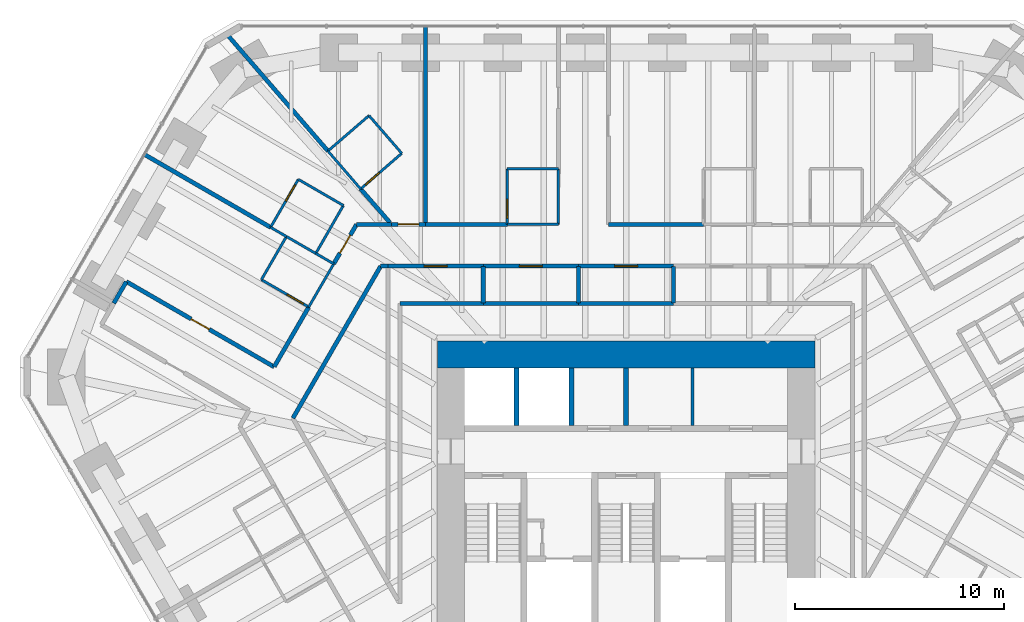
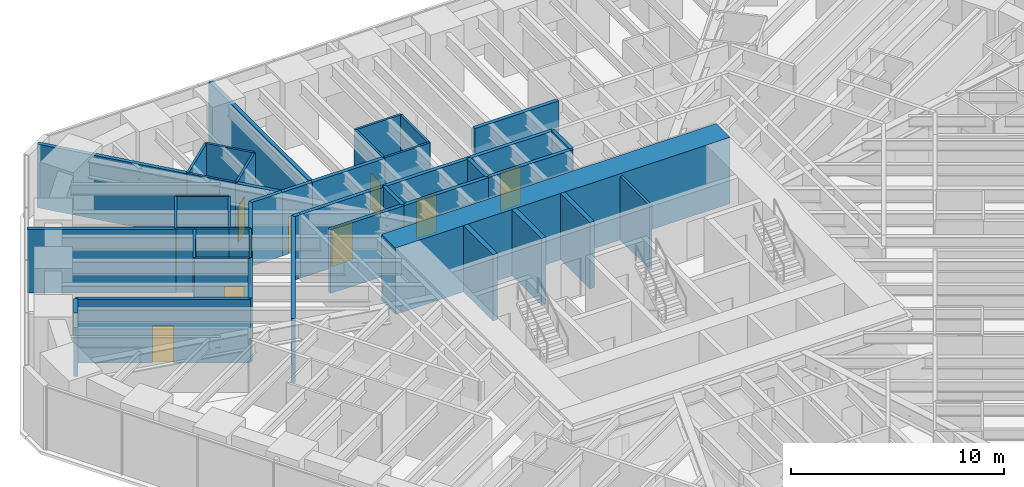
# One storey, part 14 of 17: 45 walls, 10 doors, 10 openings.
"""IFC4 building model written with IfcOpenShell, lengths in metres."""

from ifc_helpers import new_model, si_unit, direction, frame, frame_2d, origin, place, context, subcontext, project, spatial, rectangle, extrude, material, layer, layer_set, type_object, element, fill, save


model = new_model("IFC4")

# Units and contexts
model_context = context("Model", 3, precision=1e-05, world=origin(), true_north=direction((0.0, 1.0)))
body_context = subcontext(model_context, "Body", "Model", "MODEL_VIEW")
ifc_project = project(units=[si_unit("LENGTHUNIT", "METRE"), si_unit("AREAUNIT", "SQUARE_METRE"), si_unit("VOLUMEUNIT", "CUBIC_METRE"), si_unit("PLANEANGLEUNIT", "RADIAN"), si_unit("MASSUNIT", "GRAM", prefix="KILO")], contexts=[model_context])

# Site, building, storey
site_placement = place(None, origin())
site = spatial("IfcSite", under=ifc_project, at=site_placement, CompositionType="ELEMENT")
building_placement = place(site_placement, origin())
building = spatial("IfcBuilding", under=site, at=building_placement, Name="Sandreach Pilgrim Tower", CompositionType="ELEMENT")
storey_placement = place(building_placement, frame((0.0, 0.0, 119.60009765625)))
storey = spatial("IfcBuildingStorey", under=building, at=storey_placement, Name="L29", CompositionType="ELEMENT", Elevation=119.60009765625)

# Wall
ifc_material_1 = material(Name="Gypsum board on steel studs", Category="steel")
ifc_layer_1 = layer(ifc_material_1, 0.14990234375)
ifc_layer_set_1 = layer_set([ifc_layer_1], Name="Back of house wall 150")
wall_type_1 = type_object("IfcWallType", Name="Back of house wall 150", PredefinedType="PARTITIONING", material=ifc_layer_set_1)
wall_1_placement = place(storey_placement, frame((3.175048828125, 3.35009765625, 0.0), z_axis=(0.0, 0.0, 1.0), x_axis=(0.0, 1.0, 0.0)))
element("IfcWall", 1, at=wall_1_placement, inside=storey, type_object=wall_type_1, Name="Core room partition L29 1", PredefinedType="PARTITIONING", context=body_context, shape_type="SweptSolid", body=[
    extrude(rectangle(XDim=2.75, YDim=0.14990234375, at=frame_2d((1.375, 0.0))), origin(), (0.0, 0.0, 1.0), 3.639892578125),
])

# Wall, opening, door
ifc_material_2 = material(Name="Moisture-resistant gypsum board on steel studs", Category="steel")
ifc_layer_2 = layer(ifc_material_2, 0.1201171875)
ifc_layer_set_2 = layer_set([ifc_layer_2], Name="Bathroom partition 120")
wall_type_2 = type_object("IfcWallType", Name="Bathroom partition 120", PredefinedType="PARTITIONING", material=ifc_layer_set_2)
wall_2_placement = place(storey_placement, frame((-17.489990234375, 10.340087890625, 0.0), z_axis=(0.0, 0.0, 1.0), x_axis=(0.866114241029, -0.499846097802, 0.0)))
wall_2 = element("IfcWall", 2, at=wall_2_placement, inside=storey, type_object=wall_type_2, Name="Bathroom partition L29-013", PredefinedType="PARTITIONING", context=body_context, shape_type="SweptSolid", body=[
    extrude(rectangle(XDim=2.620849609375, YDim=0.1201171875, at=frame_2d((1.310546875, 0.0))), origin(), (0.0, 0.0, 1.0), 3.639892578125),
])
opening_1_placement = place(wall_2_placement, frame((1.4208984375, 0.0, 0.0)))
opening_1 = element("IfcOpeningElement", 3, at=opening_1_placement, cuts=wall_2, Name="Opening D09-18B", PredefinedType="OPENING", context=body_context, shape_type="SweptSolid", body=[
    extrude(rectangle(XDim=0.89990234375, YDim=2.030029296875, at=frame_2d((0.449951171875, 1.01513671875))), frame((0.0, 0.06005859375, 0.0), z_axis=(0.0, -1.0, 0.0), x_axis=(1.0, 0.0, 0.0)), (0.0, 0.0, 1.0), 0.1201171875),
])
ifc_material_3 = material(Name="Timber door, steel frame", Category="steel")
door_type_1 = type_object("IfcDoorType", Name="Bathroom door", OperationType="SINGLE_SWING_LEFT", PredefinedType="DOOR", material=ifc_material_3)
door_1_placement = place(opening_1_placement, origin())
door_1 = element("IfcDoor", 4, at=door_1_placement, inside=storey, type_object=door_type_1, Name="Door 2918B", OperationType="SINGLE_SWING_RIGHT", OverallHeight=2.030029296875, OverallWidth=0.89990234375, PredefinedType="DOOR", context=body_context, shape_type="SweptSolid", body=[
    extrude(rectangle(XDim=0.89990234375, YDim=2.030029296875, at=frame_2d((0.449951171875, 1.01513671875))), frame((0.0, 0.02490234375, 0.0), z_axis=(0.0, -1.0, 0.0), x_axis=(1.0, 0.0, 0.0)), (0.0, 0.0, 1.0), 0.050048828125),
])
fill(opening_1, door_1)

# Walls
wall_3_placement = place(storey_placement, frame((-17.050537109375, 12.849365234375, 0.0), z_axis=(0.0, 0.0, 1.0), x_axis=(0.865838315616, -0.500323906295, 0.0)))
element("IfcWall", 5, at=wall_3_placement, inside=storey, type_object=wall_type_2, Name="Bathroom partition L29-015", PredefinedType="PARTITIONING", context=body_context, shape_type="SweptSolid", body=[
    extrude(rectangle(XDim=0.87841796875, YDim=0.1201171875, at=frame_2d((0.439208984375, 0.0))), origin(), (0.0, 0.0, 1.0), 3.639892578125),
])
wall_4_placement = place(storey_placement, frame((-16.2900390625, 12.409912109375, 0.0), z_axis=(0.0, 0.0, 1.0), x_axis=(-0.501547039172, -0.865130376012, 0.0)))
element("IfcWall", 6, at=wall_4_placement, inside=storey, type_object=wall_type_2, Name="Bathroom partition L29-020", PredefinedType="PARTITIONING", context=body_context, shape_type="SweptSolid", body=[
    extrude(rectangle(XDim=2.392578125, YDim=0.1201171875, at=frame_2d((1.1962890625, 0.0))), origin(), (0.0, 0.0, 1.0), 3.639892578125),
])
wall_5_placement = place(storey_placement, frame((-16.2900390625, 12.409912109375, 0.0), z_axis=(0.0, 0.0, 1.0), x_axis=(0.866138091645, -0.499804768086, 0.0)))
element("IfcWall", 7, at=wall_5_placement, inside=storey, type_object=wall_type_2, Name="Bathroom partition L29-021", PredefinedType="PARTITIONING", context=body_context, shape_type="SweptSolid", body=[
    extrude(rectangle(XDim=1.626220703125, YDim=0.1201171875, at=frame_2d((0.81298828125, 0.0))), origin(), (0.0, 0.0, 1.0), 3.639892578125),
])

# Wall, opening, door
wall_6_placement = place(storey_placement, frame((-15.719970703125, 15.14990234375, 0.0), z_axis=(0.0, 0.0, 1.0), x_axis=(-0.500605174168, -0.865675724273, 0.0)))
wall_6 = element("IfcWall", 8, at=wall_6_placement, inside=storey, type_object=wall_type_2, Name="Bathroom partition L29-023", PredefinedType="PARTITIONING", context=body_context, shape_type="SweptSolid", body=[
    extrude(rectangle(XDim=2.656982421875, YDim=0.1201171875, at=frame_2d((1.32861328125, 0.0))), origin(), (0.0, 0.0, 1.0), 3.639892578125),
])
opening_2_placement = place(wall_6_placement, frame((0.300048828125, 0.0, 0.0)))
opening_2 = element("IfcOpeningElement", 9, at=opening_2_placement, cuts=wall_6, Name="Opening D09-19B", PredefinedType="OPENING", context=body_context, shape_type="SweptSolid", body=[
    extrude(rectangle(XDim=0.89990234375, YDim=2.030029296875, at=frame_2d((0.449951171875, 1.01513671875))), frame((0.0, 0.06005859375, 0.0), z_axis=(0.0, -1.0, 0.0), x_axis=(1.0, 0.0, 0.0)), (0.0, 0.0, 1.0), 0.1201171875),
])
door_2_placement = place(opening_2_placement, origin())
door_2 = element("IfcDoor", 10, at=door_2_placement, inside=storey, type_object=door_type_1, Name="Door 2919B", OperationType="SINGLE_SWING_LEFT", OverallHeight=2.030029296875, OverallWidth=0.89990234375, PredefinedType="DOOR", context=body_context, shape_type="SweptSolid", body=[
    extrude(rectangle(XDim=0.89990234375, YDim=2.030029296875, at=frame_2d((0.449951171875, 1.01513671875))), frame((0.0, 0.02490234375, 0.0), z_axis=(0.0, -1.0, 0.0), x_axis=(1.0, 0.0, 0.0)), (0.0, 0.0, 1.0), 0.050048828125),
])
fill(opening_2, door_2)

# Walls
wall_7_placement = place(storey_placement, frame((-15.219970703125, 9.030029296875, 0.0), z_axis=(0.0, 0.0, 1.0), x_axis=(0.501502765098, 0.865156041763, 0.0)))
element("IfcWall", 11, at=wall_7_placement, inside=storey, type_object=wall_type_2, Name="Bathroom partition L29-026", PredefinedType="PARTITIONING", context=body_context, shape_type="SweptSolid", body=[
    extrude(rectangle(XDim=2.392822265625, YDim=0.1201171875, at=frame_2d((1.1962890625, 0.0))), origin(), (0.0, 0.0, 1.0), 3.639892578125),
])
wall_8_placement = place(storey_placement, frame((-14.881591796875, 11.59716796875, 0.0), z_axis=(0.0, 0.0, 1.0), x_axis=(0.866181499781, -0.499729536286, 0.0)))
element("IfcWall", 12, at=wall_8_placement, inside=storey, type_object=wall_type_2, Name="Bathroom partition L29-027", PredefinedType="PARTITIONING", context=body_context, shape_type="SweptSolid", body=[
    extrude(rectangle(XDim=0.99462890625, YDim=0.1201171875, at=frame_2d((0.497314453125, 0.0))), origin(), (0.0, 0.0, 1.0), 3.639892578125),
])
wall_9_placement = place(storey_placement, frame((-14.8798828125, 11.60009765625, 0.0), z_axis=(0.0, 0.0, 1.0), x_axis=(0.497704656183, 0.867346571569, 0.0)))
element("IfcWall", 13, at=wall_9_placement, inside=storey, type_object=wall_type_2, Name="Bathroom partition L29-028", PredefinedType="PARTITIONING", context=body_context, shape_type="SweptSolid", body=[
    extrude(rectangle(XDim=2.65185546875, YDim=0.1201171875, at=frame_2d((1.325927734375, 0.0))), origin(), (0.0, 0.0, 1.0), 3.639892578125),
])
wall_10_placement = place(storey_placement, frame((-14.300048828125, 16.510009765625, 0.0), z_axis=(0.0, 0.0, 1.0), x_axis=(0.653188728136, -0.757195143563, 0.0)))
element("IfcWall", 14, at=wall_10_placement, inside=storey, type_object=wall_type_2, Name="Bathroom partition L29-030", PredefinedType="PARTITIONING", context=body_context, shape_type="SweptSolid", body=[
    extrude(rectangle(XDim=2.40380859375, YDim=0.1201171875, at=frame_2d((1.201904296875, 0.0))), origin(), (0.0, 0.0, 1.0), 3.639892578125),
])
wall_11_placement = place(storey_placement, frame((-13.56005859375, 13.89990234375, 0.0), z_axis=(0.0, 0.0, 1.0), x_axis=(-0.865508881864, 0.500893576935, 0.0)))
element("IfcWall", 15, at=wall_11_placement, inside=storey, type_object=wall_type_2, Name="Bathroom partition L29-033", PredefinedType="PARTITIONING", context=body_context, shape_type="SweptSolid", body=[
    extrude(rectangle(XDim=2.49560546875, YDim=0.1201171875, at=frame_2d((1.247802734375, 0.0))), origin(), (0.0, 0.0, 1.0), 3.639892578125),
])

# Wall, opening, door
wall_12_placement = place(storey_placement, frame((-12.72998046875, 14.68994140625, 0.0), z_axis=(0.0, 0.0, 1.0), x_axis=(0.755185511235, 0.655511131576, 0.0)))
wall_12 = element("IfcWall", 16, at=wall_12_placement, inside=storey, type_object=wall_type_2, Name="Bathroom partition L29-037", PredefinedType="PARTITIONING", context=body_context, shape_type="SweptSolid", body=[
    extrude(rectangle(XDim=2.608642578125, YDim=0.1201171875, at=frame_2d((1.30419921875, 0.0))), origin(), (0.0, 0.0, 1.0), 3.639892578125),
])
opening_3_placement = place(wall_12_placement, frame((0.300048828125, 0.0, 0.0)))
opening_3 = element("IfcOpeningElement", 17, at=opening_3_placement, cuts=wall_12, Name="Opening D09-01B", PredefinedType="OPENING", context=body_context, shape_type="SweptSolid", body=[
    extrude(rectangle(XDim=0.89990234375, YDim=2.030029296875, at=frame_2d((0.449951171875, 1.01513671875))), frame((0.0, 0.06005859375, 0.0), z_axis=(0.0, -1.0, 0.0), x_axis=(1.0, 0.0, 0.0)), (0.0, 0.0, 1.0), 0.1201171875),
])
door_3_placement = place(opening_3_placement, origin())
door_3 = element("IfcDoor", 18, at=door_3_placement, inside=storey, type_object=door_type_1, Name="Door 2901B", OperationType="SINGLE_SWING_LEFT", OverallHeight=2.030029296875, OverallWidth=0.89990234375, PredefinedType="DOOR", context=body_context, shape_type="SweptSolid", body=[
    extrude(rectangle(XDim=0.89990234375, YDim=2.030029296875, at=frame_2d((0.449951171875, 1.01513671875))), frame((0.0, 0.02490234375, 0.0), z_axis=(0.0, -1.0, 0.0), x_axis=(1.0, 0.0, 0.0)), (0.0, 0.0, 1.0), 0.050048828125),
])
fill(opening_3, door_3)

# Walls
wall_13_placement = place(storey_placement, frame((-12.330078125, 18.2099609375, 0.0), z_axis=(0.0, 0.0, 1.0), x_axis=(-0.757086659925, -0.653314464377, 0.0)))
element("IfcWall", 19, at=wall_13_placement, inside=storey, type_object=wall_type_2, Name="Bathroom partition L29-038", PredefinedType="PARTITIONING", context=body_context, shape_type="SweptSolid", body=[
    extrude(rectangle(XDim=2.60205078125, YDim=0.1201171875, at=frame_2d((1.301025390625, 0.0))), origin(), (0.0, 0.0, 1.0), 3.639892578125),
])
wall_14_placement = place(storey_placement, frame((-10.760009765625, 16.39990234375, 0.0), z_axis=(0.0, 0.0, 1.0), x_axis=(-0.655252439976, 0.755409981338, 0.0)))
element("IfcWall", 20, at=wall_14_placement, inside=storey, type_object=wall_type_2, Name="Bathroom partition L29-049", PredefinedType="PARTITIONING", context=body_context, shape_type="SweptSolid", body=[
    extrude(rectangle(XDim=2.396240234375, YDim=0.1201171875, at=frame_2d((1.1982421875, 0.0))), origin(), (0.0, 0.0, 1.0), 3.639892578125),
])

# Wall, opening, door
wall_15_placement = place(storey_placement, frame((-5.7099609375, 15.659912109375, 0.0), z_axis=(0.0, 0.0, 1.0), x_axis=(0.003749059241, -0.999992972253, 0.0)))
wall_15 = element("IfcWall", 21, at=wall_15_placement, inside=storey, type_object=wall_type_2, Name="Bathroom partition L29-066", PredefinedType="PARTITIONING", context=body_context, shape_type="SweptSolid", body=[
    extrude(rectangle(XDim=2.669921875, YDim=0.1201171875, at=frame_2d((1.3349609375, 0.0))), origin(), (0.0, 0.0, 1.0), 3.639892578125),
])
opening_4_placement = place(wall_15_placement, frame((1.469970703125, 0.0, 0.0)))
opening_4 = element("IfcOpeningElement", 22, at=opening_4_placement, cuts=wall_15, Name="Opening D09-02B", PredefinedType="OPENING", context=body_context, shape_type="SweptSolid", body=[
    extrude(rectangle(XDim=0.89990234375, YDim=2.030029296875, at=frame_2d((0.449951171875, 1.01513671875))), frame((0.0, 0.06005859375, 0.0), z_axis=(0.0, -1.0, 0.0), x_axis=(1.0, 0.0, 0.0)), (0.0, 0.0, 1.0), 0.1201171875),
])
door_4_placement = place(opening_4_placement, origin())
door_4 = element("IfcDoor", 23, at=door_4_placement, inside=storey, type_object=door_type_1, Name="Door 2902B", OperationType="SINGLE_SWING_RIGHT", OverallHeight=2.030029296875, OverallWidth=0.89990234375, PredefinedType="DOOR", context=body_context, shape_type="SweptSolid", body=[
    extrude(rectangle(XDim=0.89990234375, YDim=2.030029296875, at=frame_2d((0.449951171875, 1.01513671875))), frame((0.0, 0.02490234375, 0.0), z_axis=(0.0, -1.0, 0.0), x_axis=(1.0, 0.0, 0.0)), (0.0, 0.0, 1.0), 0.050048828125),
])
fill(opening_4, door_4)

# Walls
wall_16_placement = place(storey_placement, frame((-3.25, 12.989990234375, 0.0), z_axis=(0.0, 0.0, 1.0), x_axis=(-1.0, 0.0, 0.0)))
element("IfcWall", 24, at=wall_16_placement, inside=storey, type_object=wall_type_2, Name="Bathroom partition L29-079", PredefinedType="PARTITIONING", context=body_context, shape_type="SweptSolid", body=[
    extrude(rectangle(XDim=2.449951171875, YDim=0.1201171875, at=frame_2d((1.22509765625, 0.0))), origin(), (0.0, 0.0, 1.0), 3.639892578125),
])
wall_17_placement = place(storey_placement, frame((-3.25, 15.659912109375, 0.0), z_axis=(0.0, 0.0, 1.0), x_axis=(-1.0, 0.0, 0.0)))
element("IfcWall", 25, at=wall_17_placement, inside=storey, type_object=wall_type_2, Name="Bathroom partition L29-080", PredefinedType="PARTITIONING", context=body_context, shape_type="SweptSolid", body=[
    extrude(rectangle(XDim=2.4599609375, YDim=0.1201171875, at=frame_2d((1.22998046875, 0.0))), origin(), (0.0, 0.0, 1.0), 3.639892578125),
])
wall_18_placement = place(storey_placement, frame((-3.25, 15.659912109375, 0.0), z_axis=(0.0, 0.0, 1.0), x_axis=(0.0, -1.0, 0.0)))
element("IfcWall", 26, at=wall_18_placement, inside=storey, type_object=wall_type_2, Name="Bathroom partition L29-081", PredefinedType="PARTITIONING", context=body_context, shape_type="SweptSolid", body=[
    extrude(rectangle(XDim=2.669921875, YDim=0.1201171875, at=frame_2d((1.3349609375, 0.0))), origin(), (0.0, 0.0, 1.0), 3.639892578125),
])
ifc_material_4 = material(Name="Concrete 10000 psi", Category="concrete")
ifc_layer_3 = layer(ifc_material_4, 1.300048828125)
ifc_layer_set_3 = layer_set([ifc_layer_3], Name="Core wall 1300")
wall_type_3 = type_object("IfcWallType", Name="Core wall 1300", PredefinedType="SHEAR", material=ifc_layer_set_3)
wall_19_placement = place(storey_placement, frame((-9.050048828125, 6.75, 0.0), z_axis=(0.0, 0.0, 1.0), x_axis=(1.0, 0.0, 0.0)))
element("IfcWall", 27, at=wall_19_placement, inside=storey, type_object=wall_type_3, Name="Core wall N L29", PredefinedType="SHEAR", context=body_context, shape_type="SweptSolid", body=[
    extrude(rectangle(XDim=18.10009765625, YDim=1.300048828125, at=frame_2d((9.050048828125, 0.0))), origin(), (0.0, 0.0, 1.0), 3.7998046875),
])
ifc_material_5 = material(Name="Gypsum board on steel studs, two layers each side", Category="steel")
ifc_layer_4 = layer(ifc_material_5, 0.199951171875)
ifc_layer_set_4 = layer_set([ifc_layer_4], Name="Corridor wall 200")
wall_type_4 = type_object("IfcWallType", Name="Corridor wall 200", PredefinedType="PARTITIONING", material=ifc_layer_set_4)
wall_20_placement = place(storey_placement, frame((-24.570068359375, 9.2099609375, 0.0), z_axis=(0.0, 0.0, 1.0), x_axis=(0.499734288277, 0.866178758179, 0.0)))
element("IfcWall", 28, at=wall_20_placement, inside=storey, type_object=wall_type_4, Name="Corridor wall L29-004", PredefinedType="PARTITIONING", context=body_context, shape_type="SweptSolid", body=[
    extrude(rectangle(XDim=1.190673828125, YDim=0.199951171875, at=frame_2d((0.59521484375, 0.0))), origin(), (0.0, 0.0, 1.0), 3.639892578125),
])

# Wall, opening, door
wall_21_placement = place(storey_placement, frame((-16.8798828125, 6.159912109375, 0.0), z_axis=(0.0, 0.0, 1.0), x_axis=(-0.866203958324, 0.499690606859, 0.0)))
wall_21 = element("IfcWall", 29, at=wall_21_placement, inside=storey, type_object=wall_type_4, Name="Corridor wall L29-017", PredefinedType="PARTITIONING", context=body_context, shape_type="SweptSolid", body=[
    extrude(rectangle(XDim=8.185302734375, YDim=0.199951171875, at=frame_2d((4.0927734375, 0.0))), origin(), (0.0, 0.0, 1.0), 3.639892578125),
])
opening_5_placement = place(wall_21_placement, frame((3.592529296875, 0.0, 0.0)))
opening_5 = element("IfcOpeningElement", 30, at=opening_5_placement, cuts=wall_21, Name="Opening D10-18", PredefinedType="OPENING", context=body_context, shape_type="SweptSolid", body=[
    extrude(rectangle(XDim=1.0, YDim=2.1298828125, at=frame_2d((0.5, 1.06494140625))), frame((0.0, 0.10009765625, 0.0), z_axis=(0.0, -1.0, 0.0), x_axis=(1.0, 0.0, 0.0)), (0.0, 0.0, 1.0), 0.199951171875),
])
ifc_material_6 = material(Name="Steel door and frame", Category="steel")
door_type_2 = type_object("IfcDoorType", Name="Guest room entry door", OperationType="SINGLE_SWING_LEFT", PredefinedType="DOOR", material=ifc_material_6)
door_5_placement = place(opening_5_placement, origin())
door_5 = element("IfcDoor", 31, at=door_5_placement, inside=storey, type_object=door_type_2, Name="Door 2918", OperationType="SINGLE_SWING_LEFT", OverallHeight=2.1298828125, OverallWidth=1.0, PredefinedType="DOOR", context=body_context, shape_type="SweptSolid", body=[
    extrude(rectangle(XDim=1.0, YDim=2.1298828125, at=frame_2d((0.5, 1.06494140625))), frame((0.0, 0.02490234375, 0.0), z_axis=(0.0, -1.0, 0.0), x_axis=(1.0, 0.0, 0.0)), (0.0, 0.0, 1.0), 0.050048828125),
])
fill(opening_5, door_5)

# Walls
wall_22_placement = place(storey_placement, frame((-16.875, 6.168701171875, 0.0), z_axis=(0.0, 0.0, 1.0), x_axis=(0.500689767595, 0.865626799854, 0.0)))
element("IfcWall", 32, at=wall_22_placement, inside=storey, type_object=wall_type_4, Name="Corridor wall L29-018", PredefinedType="PARTITIONING", context=body_context, shape_type="SweptSolid", body=[
    extrude(rectangle(XDim=3.305419921875, YDim=0.199951171875, at=frame_2d((1.65283203125, 0.0))), origin(), (0.0, 0.0, 1.0), 3.639892578125),
])
wall_23_placement = place(storey_placement, frame((-15.97998046875, 3.699951171875, 0.0), z_axis=(0.0, 0.0, 1.0), x_axis=(0.500093981358, 0.865971136822, 0.0)))
element("IfcWall", 33, at=wall_23_placement, inside=storey, type_object=wall_type_4, Name="Corridor wall L29-022", PredefinedType="PARTITIONING", context=body_context, shape_type="SweptSolid", body=[
    extrude(rectangle(XDim=8.41845703125, YDim=0.199951171875, at=frame_2d((4.209228515625, 0.0))), origin(), (0.0, 0.0, 1.0), 3.639892578125),
])

# Wall, opening, door
wall_24_placement = place(storey_placement, frame((-14.02001953125, 11.10009765625, 0.0), z_axis=(0.0, 0.0, 1.0), x_axis=(0.499641723021, 0.866232156305, 0.0)))
wall_24 = element("IfcWall", 34, at=wall_24_placement, inside=storey, type_object=wall_type_4, Name="Corridor wall L29-032", PredefinedType="PARTITIONING", context=body_context, shape_type="SweptSolid", body=[
    extrude(rectangle(XDim=2.181640625, YDim=0.199951171875, at=frame_2d((1.0908203125, 0.0))), origin(), (0.0, 0.0, 1.0), 3.639892578125),
])
opening_6_placement = place(wall_24_placement, frame((0.5908203125, 0.0, 0.0)))
opening_6 = element("IfcOpeningElement", 35, at=opening_6_placement, cuts=wall_24, Name="Opening D10-19", PredefinedType="OPENING", context=body_context, shape_type="SweptSolid", body=[
    extrude(rectangle(XDim=1.0, YDim=2.1298828125, at=frame_2d((0.5, 1.06494140625))), frame((0.0, 0.10009765625, 0.0), z_axis=(0.0, -1.0, 0.0), x_axis=(1.0, 0.0, 0.0)), (0.0, 0.0, 1.0), 0.199951171875),
])
door_6_placement = place(opening_6_placement, origin())
door_6 = element("IfcDoor", 36, at=door_6_placement, inside=storey, type_object=door_type_2, Name="Door 2919", OperationType="SINGLE_SWING_LEFT", OverallHeight=2.1298828125, OverallWidth=1.0, PredefinedType="DOOR", context=body_context, shape_type="SweptSolid", body=[
    extrude(rectangle(XDim=1.0, YDim=2.1298828125, at=frame_2d((0.5, 1.06494140625))), frame((0.0, 0.02490234375, 0.0), z_axis=(0.0, -1.0, 0.0), x_axis=(1.0, 0.0, 0.0)), (0.0, 0.0, 1.0), 0.050048828125),
])
fill(opening_6, door_6)

# Wall
wall_25_placement = place(storey_placement, frame((-11.77001953125, 10.989990234375, 0.0), z_axis=(0.0, 0.0, 1.0), x_axis=(1.0, 0.0, 0.0)))
element("IfcWall", 37, at=wall_25_placement, inside=storey, type_object=wall_type_4, Name="Corridor wall L29-040", PredefinedType="PARTITIONING", context=body_context, shape_type="SweptSolid", body=[
    extrude(rectangle(XDim=0.35009765625, YDim=0.199951171875, at=frame_2d((0.175048828125, 0.0))), origin(), (0.0, 0.0, 1.0), 3.639892578125),
])

# Wall, opening, door
wall_26_placement = place(storey_placement, frame((-11.419921875, 10.989990234375, 0.0), z_axis=(0.0, 0.0, 1.0), x_axis=(1.0, 0.0, 0.0)))
wall_26 = element("IfcWall", 38, at=wall_26_placement, inside=storey, type_object=wall_type_4, Name="Corridor wall L29-044", PredefinedType="PARTITIONING", context=body_context, shape_type="SweptSolid", body=[
    extrude(rectangle(XDim=4.56982421875, YDim=0.199951171875, at=frame_2d((2.284912109375, 0.0))), origin(), (0.0, 0.0, 1.0), 3.639892578125),
])
opening_7_placement = place(wall_26_placement, frame((1.735107421875, 0.0, 0.0)))
opening_7 = element("IfcOpeningElement", 39, at=opening_7_placement, cuts=wall_26, Name="Opening D11H-M02", PredefinedType="OPENING", context=body_context, shape_type="SweptSolid", body=[
    extrude(rectangle(XDim=1.10009765625, YDim=2.199951171875, at=frame_2d((0.550048828125, 1.10009765625))), frame((0.0, 0.10009765625, 0.0), z_axis=(0.0, -1.0, 0.0), x_axis=(1.0, 0.0, 0.0)), (0.0, 0.0, 1.0), 0.199951171875),
])
ifc_material_7 = material(Name="Steel door and frame", Category="steel")
door_type_3 = type_object("IfcDoorType", Name="Back of house door", OperationType="SINGLE_SWING_LEFT", PredefinedType="DOOR", material=ifc_material_7)
door_7_placement = place(opening_7_placement, origin())
door_7 = element("IfcDoor", 40, at=door_7_placement, inside=storey, type_object=door_type_3, Name="Door 29M02", OperationType="SINGLE_SWING_LEFT", OverallHeight=2.199951171875, OverallWidth=1.10009765625, PredefinedType="DOOR", context=body_context, shape_type="SweptSolid", body=[
    extrude(rectangle(XDim=1.10009765625, YDim=2.199951171875, at=frame_2d((0.550048828125, 1.10009765625))), frame((0.0, 0.02490234375, 0.0), z_axis=(0.0, -1.0, 0.0), x_axis=(1.0, 0.0, 0.0)), (0.0, 0.0, 1.0), 0.050048828125),
])
fill(opening_7, door_7)

# Wall
wall_27_placement = place(storey_placement, frame((-11.25, 12.989990234375, 0.0), z_axis=(0.0, 0.0, 1.0), x_axis=(-1.0, 0.0, 0.0)))
element("IfcWall", 41, at=wall_27_placement, inside=storey, type_object=wall_type_4, Name="Corridor wall L29-045", PredefinedType="PARTITIONING", context=body_context, shape_type="SweptSolid", body=[
    extrude(rectangle(XDim=1.679931640625, YDim=0.199951171875, at=frame_2d((0.83984375, 0.0))), origin(), (0.0, 0.0, 1.0), 3.639892578125),
])

# Wall, opening, door
wall_28_placement = place(storey_placement, frame((-9.6201171875, 12.989990234375, 0.0), z_axis=(0.0, 0.0, 1.0), x_axis=(-1.0, 0.0, 0.0)))
wall_28 = element("IfcWall", 42, at=wall_28_placement, inside=storey, type_object=wall_type_4, Name="Corridor wall L29-051", PredefinedType="PARTITIONING", context=body_context, shape_type="SweptSolid", body=[
    extrude(rectangle(XDim=1.6298828125, YDim=0.199951171875, at=frame_2d((0.81494140625, 0.0))), origin(), (0.0, 0.0, 1.0), 3.639892578125),
])
opening_8_placement = place(wall_28_placement, frame((0.31494140625, 0.0, 0.0)))
opening_8 = element("IfcOpeningElement", 43, at=opening_8_placement, cuts=wall_28, Name="Opening D10-01", PredefinedType="OPENING", context=body_context, shape_type="SweptSolid", body=[
    extrude(rectangle(XDim=1.0, YDim=2.1298828125, at=frame_2d((0.5, 1.06494140625))), frame((0.0, 0.10009765625, 0.0), z_axis=(0.0, -1.0, 0.0), x_axis=(1.0, 0.0, 0.0)), (0.0, 0.0, 1.0), 0.199951171875),
])
door_8_placement = place(opening_8_placement, origin())
door_8 = element("IfcDoor", 44, at=door_8_placement, inside=storey, type_object=door_type_2, Name="Door 2901", OperationType="SINGLE_SWING_LEFT", OverallHeight=2.1298828125, OverallWidth=1.0, PredefinedType="DOOR", context=body_context, shape_type="SweptSolid", body=[
    extrude(rectangle(XDim=1.0, YDim=2.1298828125, at=frame_2d((0.5, 1.06494140625))), frame((0.0, 0.02490234375, 0.0), z_axis=(0.0, -1.0, 0.0), x_axis=(1.0, 0.0, 0.0)), (0.0, 0.0, 1.0), 0.050048828125),
])
fill(opening_8, door_8)

# Wall
wall_29_placement = place(storey_placement, frame((-6.85009765625, 9.199951171875, 0.0), z_axis=(0.0, 0.0, 1.0), x_axis=(-1.0, 0.0, 0.0)))
element("IfcWall", 45, at=wall_29_placement, inside=storey, type_object=wall_type_4, Name="Corridor wall L29-058", PredefinedType="PARTITIONING", context=body_context, shape_type="SweptSolid", body=[
    extrude(rectangle(XDim=3.989990234375, YDim=0.199951171875, at=frame_2d((1.9951171875, 0.0))), origin(), (0.0, 0.0, 1.0), 3.639892578125),
])

# Wall, opening, door
wall_30_placement = place(storey_placement, frame((-6.85009765625, 10.989990234375, 0.0), z_axis=(0.0, 0.0, 1.0), x_axis=(1.0, 0.0, 0.0)))
wall_30 = element("IfcWall", 46, at=wall_30_placement, inside=storey, type_object=wall_type_4, Name="Corridor wall L29-060", PredefinedType="PARTITIONING", context=body_context, shape_type="SweptSolid", body=[
    extrude(rectangle(XDim=4.570068359375, YDim=0.199951171875, at=frame_2d((2.28515625, 0.0))), origin(), (0.0, 0.0, 1.0), 3.639892578125),
])
opening_9_placement = place(wall_30_placement, frame((1.735107421875, 0.0, 0.0)))
opening_9 = element("IfcOpeningElement", 47, at=opening_9_placement, cuts=wall_30, Name="Opening D11H-M03", PredefinedType="OPENING", context=body_context, shape_type="SweptSolid", body=[
    extrude(rectangle(XDim=1.10009765625, YDim=2.199951171875, at=frame_2d((0.550048828125, 1.10009765625))), frame((0.0, 0.10009765625, 0.0), z_axis=(0.0, -1.0, 0.0), x_axis=(1.0, 0.0, 0.0)), (0.0, 0.0, 1.0), 0.199951171875),
])
door_9_placement = place(opening_9_placement, origin())
door_9 = element("IfcDoor", 48, at=door_9_placement, inside=storey, type_object=door_type_3, Name="Door 29M03", OperationType="SINGLE_SWING_LEFT", OverallHeight=2.199951171875, OverallWidth=1.10009765625, PredefinedType="DOOR", context=body_context, shape_type="SweptSolid", body=[
    extrude(rectangle(XDim=1.10009765625, YDim=2.199951171875, at=frame_2d((0.550048828125, 1.10009765625))), frame((0.0, 0.02490234375, 0.0), z_axis=(0.0, -1.0, 0.0), x_axis=(1.0, 0.0, 0.0)), (0.0, 0.0, 1.0), 0.050048828125),
])
fill(opening_9, door_9)

# Walls
wall_31_placement = place(storey_placement, frame((-5.699951171875, 12.989990234375, 0.0), z_axis=(0.0, 0.0, 1.0), x_axis=(-1.0, 0.0, 0.0)))
element("IfcWall", 49, at=wall_31_placement, inside=storey, type_object=wall_type_4, Name="Corridor wall L29-067", PredefinedType="PARTITIONING", context=body_context, shape_type="SweptSolid", body=[
    extrude(rectangle(XDim=3.920166015625, YDim=0.199951171875, at=frame_2d((1.9599609375, 0.0))), origin(), (0.0, 0.0, 1.0), 3.639892578125),
])
wall_32_placement = place(storey_placement, frame((-2.280029296875, 9.199951171875, 0.0), z_axis=(0.0, 0.0, 1.0), x_axis=(-1.0, 0.0, 0.0)))
element("IfcWall", 50, at=wall_32_placement, inside=storey, type_object=wall_type_4, Name="Corridor wall L29-083", PredefinedType="PARTITIONING", context=body_context, shape_type="SweptSolid", body=[
    extrude(rectangle(XDim=4.570068359375, YDim=0.199951171875, at=frame_2d((2.28515625, 0.0))), origin(), (0.0, 0.0, 1.0), 3.639892578125),
])

# Wall, opening, door
wall_33_placement = place(storey_placement, frame((-2.280029296875, 10.989990234375, 0.0), z_axis=(0.0, 0.0, 1.0), x_axis=(1.0, 0.0, 0.0)))
wall_33 = element("IfcWall", 51, at=wall_33_placement, inside=storey, type_object=wall_type_4, Name="Corridor wall L29-085", PredefinedType="PARTITIONING", context=body_context, shape_type="SweptSolid", body=[
    extrude(rectangle(XDim=4.56005859375, YDim=0.199951171875, at=frame_2d((2.280029296875, 0.0))), origin(), (0.0, 0.0, 1.0), 3.639892578125),
])
opening_10_placement = place(wall_33_placement, frame((1.72998046875, 0.0, 0.0)))
opening_10 = element("IfcOpeningElement", 52, at=opening_10_placement, cuts=wall_33, Name="Opening D11H-M04", PredefinedType="OPENING", context=body_context, shape_type="SweptSolid", body=[
    extrude(rectangle(XDim=1.10009765625, YDim=2.199951171875, at=frame_2d((0.550048828125, 1.10009765625))), frame((0.0, 0.10009765625, 0.0), z_axis=(0.0, -1.0, 0.0), x_axis=(1.0, 0.0, 0.0)), (0.0, 0.0, 1.0), 0.199951171875),
])
door_10_placement = place(opening_10_placement, origin())
door_10 = element("IfcDoor", 53, at=door_10_placement, inside=storey, type_object=door_type_3, Name="Door 29M04", OperationType="SINGLE_SWING_LEFT", OverallHeight=2.199951171875, OverallWidth=1.10009765625, PredefinedType="DOOR", context=body_context, shape_type="SweptSolid", body=[
    extrude(rectangle(XDim=1.10009765625, YDim=2.199951171875, at=frame_2d((0.550048828125, 1.10009765625))), frame((0.0, 0.02490234375, 0.0), z_axis=(0.0, -1.0, 0.0), x_axis=(1.0, 0.0, 0.0)), (0.0, 0.0, 1.0), 0.050048828125),
])
fill(opening_10, door_10)

# Walls
wall_34_placement = place(storey_placement, frame((2.280029296875, 9.199951171875, 0.0), z_axis=(0.0, 0.0, 1.0), x_axis=(-1.0, 0.0, 0.0)))
element("IfcWall", 54, at=wall_34_placement, inside=storey, type_object=wall_type_4, Name="Corridor wall L29-094", PredefinedType="PARTITIONING", context=body_context, shape_type="SweptSolid", body=[
    extrude(rectangle(XDim=4.56005859375, YDim=0.199951171875, at=frame_2d((2.280029296875, 0.0))), origin(), (0.0, 0.0, 1.0), 3.639892578125),
])
wall_35_placement = place(storey_placement, frame((3.7099609375, 12.989990234375, 0.0), z_axis=(0.0, 0.0, 1.0), x_axis=(-1.0, 0.0, 0.0)))
element("IfcWall", 55, at=wall_35_placement, inside=storey, type_object=wall_type_4, Name="Corridor wall L29-099", PredefinedType="PARTITIONING", context=body_context, shape_type="SweptSolid", body=[
    extrude(rectangle(XDim=4.550048828125, YDim=0.199951171875, at=frame_2d((2.27490234375, 0.0))), origin(), (0.0, 0.0, 1.0), 3.639892578125),
])
ifc_material_8 = material(Name="Double steel stud acoustic wall, gypsum board", Category="steel")
ifc_layer_5 = layer(ifc_material_8, 0.199951171875)
ifc_layer_set_5 = layer_set([ifc_layer_5], Name="Party wall 200")
wall_type_5 = type_object("IfcWallType", Name="Party wall 200", PredefinedType="PARTITIONING", material=ifc_layer_set_5)
wall_36_placement = place(storey_placement, frame((-23.083984375, 16.3349609375, 0.0), z_axis=(0.0, 0.0, 1.0), x_axis=(0.865889693368, -0.500234983702, 0.0)))
element("IfcWall", 56, at=wall_36_placement, inside=storey, type_object=wall_type_5, Name="Party wall L29-005", PredefinedType="PARTITIONING", context=body_context, shape_type="SweptSolid", body=[
    extrude(rectangle(XDim=6.968017578125, YDim=0.199951171875, at=frame_2d((3.48388671875, 0.0))), origin(), (0.0, 0.0, 1.0), 3.639892578125),
])
wall_37_placement = place(storey_placement, frame((-19.160400390625, 22.127197265625, 0.0), z_axis=(0.0, 0.0, 1.0), x_axis=(0.654324699903, -0.756213717871, 0.0)))
element("IfcWall", 57, at=wall_37_placement, inside=storey, type_object=wall_type_5, Name="Party wall L29-006", PredefinedType="PARTITIONING", context=body_context, shape_type="SweptSolid", body=[
    extrude(rectangle(XDim=7.427978515625, YDim=0.199951171875, at=frame_2d((3.7138671875, 0.0))), origin(), (0.0, 0.0, 1.0), 3.639892578125),
])
wall_38_placement = place(storey_placement, frame((-12.72998046875, 14.68994140625, 0.0), z_axis=(0.0, 0.0, 1.0), x_axis=(0.656624063312, -0.754218031792, 0.0)))
element("IfcWall", 58, at=wall_38_placement, inside=storey, type_object=wall_type_5, Name="Party wall L29-036", PredefinedType="PARTITIONING", context=body_context, shape_type="SweptSolid", body=[
    extrude(rectangle(XDim=2.143798828125, YDim=0.199951171875, at=frame_2d((1.07177734375, 0.0))), origin(), (0.0, 0.0, 1.0), 3.639892578125),
])
wall_39_placement = place(storey_placement, frame((-9.6201171875, 22.4599609375, 0.0), z_axis=(0.0, 0.0, 1.0), x_axis=(0.0, -1.0, 0.0)))
element("IfcWall", 59, at=wall_39_placement, inside=storey, type_object=wall_type_5, Name="Party wall L29-052", PredefinedType="PARTITIONING", context=body_context, shape_type="SweptSolid", body=[
    extrude(rectangle(XDim=9.455078125, YDim=0.199951171875, at=frame_2d((4.7275390625, 0.0))), origin(), (0.0, 0.0, 1.0), 3.639892578125),
])
for number, where, z_axis, x_axis, name in (
    (60, (-6.85009765625, 10.97998046875, 0.0), (0.0, 0.0, 1.0), (0.0, -1.0, 0.0), "Party wall L29-059"),
    (61, (-2.280029296875, 10.97998046875, 0.0), (0.0, 0.0, 1.0), (0.0, -1.0, 0.0), "Party wall L29-084"),
    (62, (2.280029296875, 10.97998046875, 0.0), (0.0, 0.0, 1.0), (0.0, -1.0, 0.0), "Party wall L29-095"),
):
    element("IfcWall", number, at=place(storey_placement, frame(where, z_axis=z_axis, x_axis=x_axis)), inside=storey, type_object=wall_type_5, Name=name, PredefinedType="PARTITIONING", context=body_context, shape_type="SweptSolid", body=[
        extrude(rectangle(XDim=1.77001953125, YDim=0.199951171875, at=frame_2d((0.885009765625, 0.0))), origin(), (0.0, 0.0, 1.0), 3.639892578125),
    ])
ifc_material_9 = material(Name="Gypsum shaft wall on steel studs, two layers of shaft liner board", Category="steel")
ifc_layer_6 = layer(ifc_material_9, 0.25)
ifc_layer_set_6 = layer_set([ifc_layer_6], Name="Shaft partition 250")
wall_type_6 = type_object("IfcWallType", Name="Shaft partition 250", PredefinedType="PARTITIONING", material=ifc_layer_set_6)
for number, where, z_axis, x_axis, name in (
    (63, (-5.25, 3.35009765625, 0.0), (0.0, 0.0, 1.0), (0.0, 1.0, 0.0), "Shaft partition NS0 L29"),
    (64, (-2.625, 3.35009765625, 0.0), (0.0, 0.0, 1.0), (0.0, 1.0, 0.0), "Shaft partition NS1 L29"),
    (65, (0.0, 3.35009765625, 0.0), (0.0, 0.0, 1.0), (0.0, 1.0, 0.0), "Shaft partition NS2 L29"),
):
    element("IfcWall", number, at=place(storey_placement, frame(where, z_axis=z_axis, x_axis=x_axis)), inside=storey, type_object=wall_type_6, Name=name, PredefinedType="PARTITIONING", context=body_context, shape_type="SweptSolid", body=[
        extrude(rectangle(XDim=2.75, YDim=0.25, at=frame_2d((1.375, 0.0))), origin(), (0.0, 0.0, 1.0), 3.7998046875),
    ])

save(model, "model.ifc")
